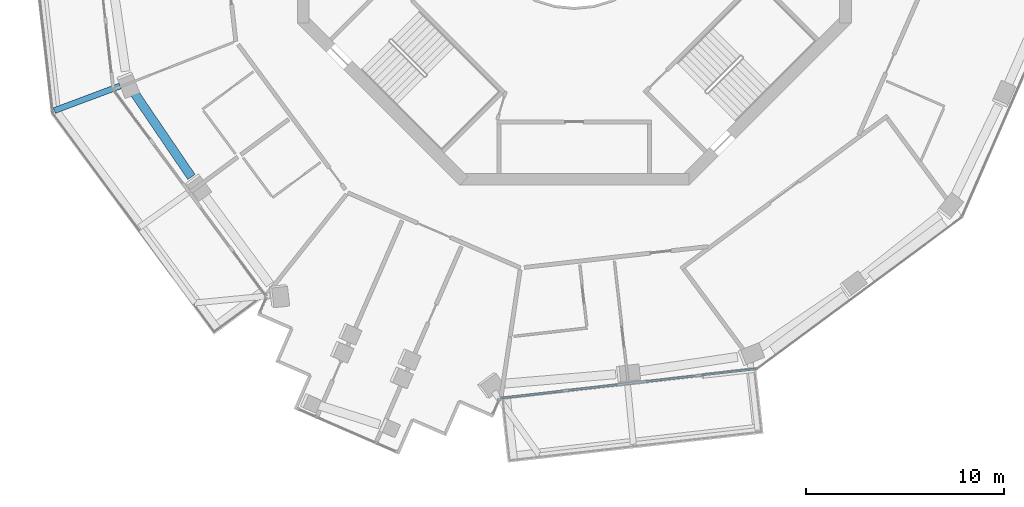
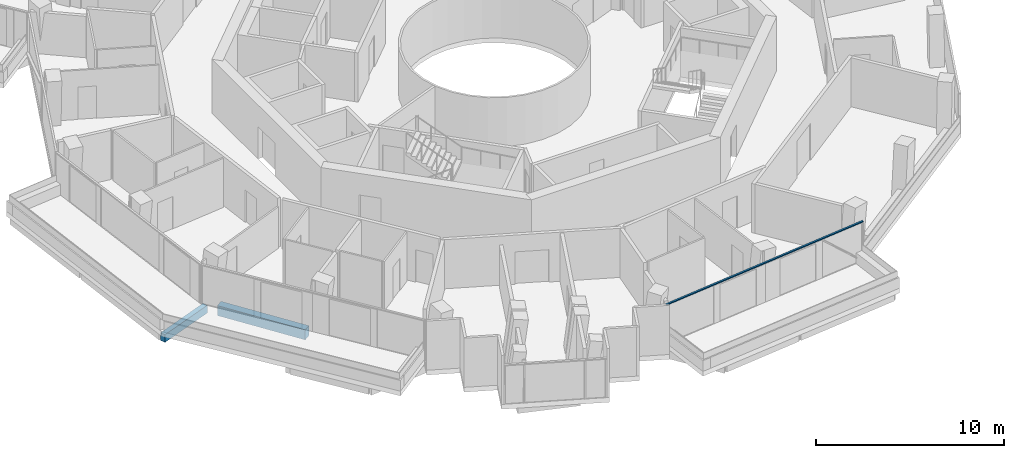
# One storey, part 3 of 23: 2 beams, 1 member, 1 element without a shape of its own.
"""IFC4 building model written with IfcOpenShell, lengths in metres."""

from ifc_helpers import new_model, si_unit, direction, frame, origin, origin_2d, place, context, subcontext, project, spatial, rectangle, extrude, material, layer, layer_set, material_profile, profile_set, type_object, element, aggregate, save


model = new_model("IFC4")

# Units and contexts
model_context = context("Model", 3, precision=1e-05, world=origin(), true_north=direction((0.0, 1.0)))
body_context = subcontext(model_context, "Body", "Model", "MODEL_VIEW")
ifc_project = project(units=[si_unit("LENGTHUNIT", "METRE"), si_unit("AREAUNIT", "SQUARE_METRE"), si_unit("VOLUMEUNIT", "CUBIC_METRE"), si_unit("PLANEANGLEUNIT", "RADIAN"), si_unit("MASSUNIT", "GRAM", prefix="KILO")], contexts=[model_context])

# Site, building, storey
site_placement = place(None, origin())
site = spatial("IfcSite", under=ifc_project, at=site_placement, CompositionType="ELEMENT")
building_placement = place(site_placement, origin())
building = spatial("IfcBuilding", under=site, at=building_placement, Name="Verdalira Terraces Hotel", CompositionType="ELEMENT")
storey_placement = place(building_placement, frame((0.0, 0.0, 183.5)))
storey = spatial("IfcBuildingStorey", under=building, at=storey_placement, Name="L44", CompositionType="ELEMENT", Elevation=183.5)

# Beam
ifc_material_1 = material(Name="Concrete C40", Category="concrete")
ifc_material_profile_1 = material_profile(ifc_material_1, rectangle(XDim=0.300049, YDim=0.5, at=origin_2d()), Name="RC 300X500")
ifc_profile_set_1 = profile_set([ifc_material_profile_1], Name="Concrete C40")
beam_type_1 = type_object("IfcBeamType", Name="Balcony cantilever beam RC 300X500 C40", PredefinedType="BEAM", material=ifc_profile_set_1)
beam_1_placement = place(storey_placement, frame((-22.957764, -8.988037, -0.560059), z_axis=(-0.936538461, -0.350564845, 0.0), x_axis=(0.350564845, -0.936538461, 0.0)))
element("IfcBeam", 1, at=beam_1_placement, inside=storey, type_object=beam_type_1, Name="Balcony cantilever beam R12-5", PredefinedType="BEAM", context=body_context, shape_type="SweptSolid", body=[
    extrude(rectangle(XDim=0.300049, YDim=0.5, at=origin_2d()), origin(), (0.0, 0.0, 1.0), 3.544678),
])

# Curtain wall, member
ifc_material_2 = material(Name="Clear glass", Category="glass")
ifc_layer = layer(ifc_material_2, 0.14990234375)
ifc_layer_set = layer_set([ifc_layer], Name="CW1 curtain wall")
curtain_wall_type = type_object("IfcCurtainWallType", Name="CW1 curtain wall", PredefinedType="NOTDEFINED", material=ifc_layer_set)
curtain_wall_placement = place(storey_placement, origin())
curtain_wall = element("IfcCurtainWall", 2, at=curtain_wall_placement, inside=storey, type_object=curtain_wall_type, Name="CW1 curtain wall L44 edge 25", PredefinedType="NOTDEFINED")
ifc_material_3 = material(Name="Terracotta frame", Category="masonry")
ifc_material_profile_2 = material_profile(ifc_material_3, rectangle(XDim=0.110107, YDim=0.064941, at=origin_2d()), Name="TR 65x110")
ifc_profile_set_2 = profile_set([ifc_material_profile_2], Name="Terracotta frame")
member_type = type_object("IfcMemberType", Name="CW1 transom 65x110", PredefinedType="USERDEFINED", material=ifc_profile_set_2)
member_placement = place(storey_placement, frame((-3.729248, -24.762451, 2.507568), z_axis=(0.993610042, 0.11286755, 0.0), x_axis=(-0.11286755, 0.993610042, 0.0)))
member = element("IfcMember", 3, at=member_placement, type_object=member_type, Name="CW1 transom", ObjectType="TRANSOM", PredefinedType="USERDEFINED", context=body_context, shape_type="SweptSolid", body=[
    extrude(rectangle(XDim=0.110107, YDim=0.064941, at=origin_2d()), origin(), (0.0, 0.0, 1.0), 13.0),
])
aggregate(curtain_wall, [member])

# Beam
ifc_material_4 = material(Name="Concrete C50", Category="concrete")
ifc_material_profile_3 = material_profile(ifc_material_4, rectangle(XDim=0.449951, YDim=0.649902, at=origin_2d()), Name="RC 450X650")
ifc_profile_set_3 = profile_set([ifc_material_profile_3], Name="Concrete C50")
beam_type_2 = type_object("IfcBeamType", Name="Spandrel beam RC 450X650 C50", PredefinedType="SPANDREL", material=ifc_profile_set_3)
beam_2_placement = place(storey_placement, frame((-22.270264, -9.292725, -0.63501), z_axis=(0.562186546, -0.827010452, 0.0), x_axis=(0.827010452, 0.562186546, 0.0)))
element("IfcBeam", 4, at=beam_2_placement, inside=storey, type_object=beam_type_2, Name="Spandrel beam B08", PredefinedType="SPANDREL", context=body_context, shape_type="SweptSolid", body=[
    extrude(rectangle(XDim=0.449951, YDim=0.649902, at=origin_2d()), origin(), (0.0, 0.0, 1.0), 5.192139),
])

save(model, "model.ifc")
